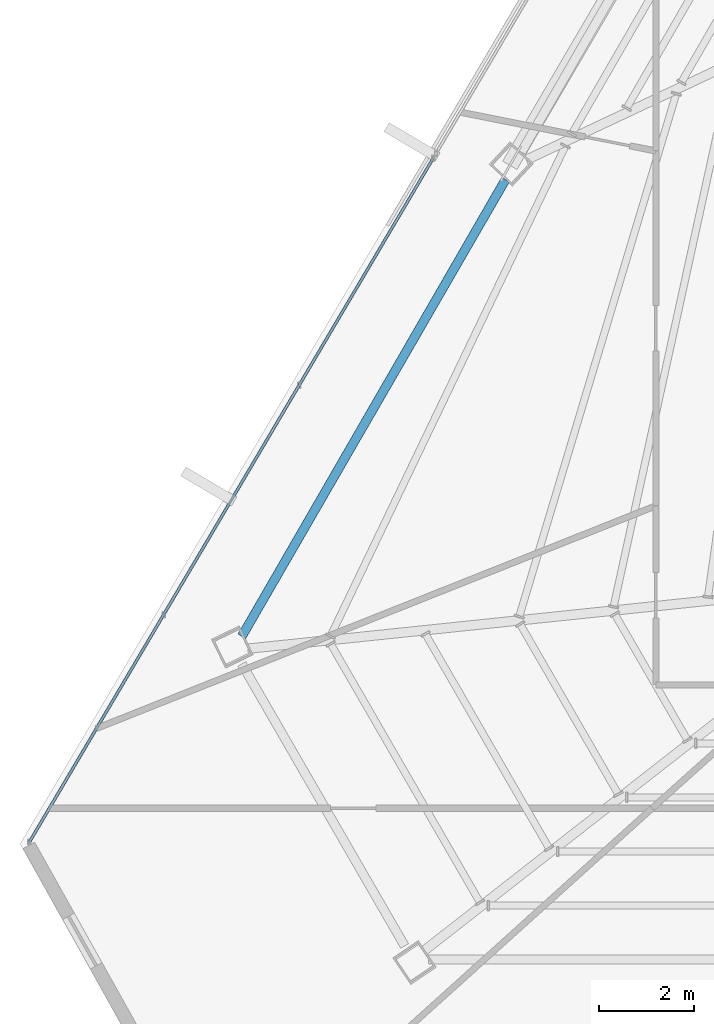
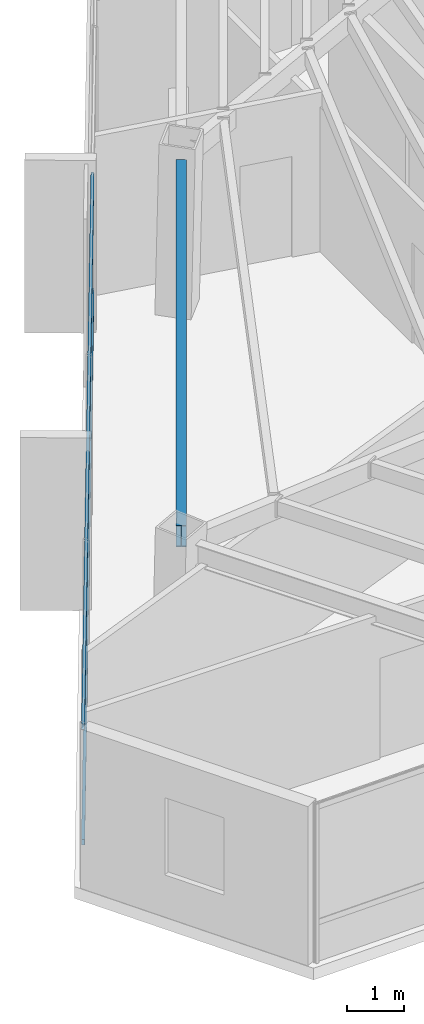
# One storey, part 8 of 47: 2 members, 1 beam, 1 element without a shape of its own.
"""IFC4 building model written with IfcOpenShell, lengths in metres."""

from ifc_helpers import new_model, si_unit, direction, frame, origin, origin_2d, place, context, subcontext, project, spatial, hollow_rectangle, i_section, extrude, source, transform, mapped, material, material_profile, profile_set, type_object, type_shapes, element, aggregate, save


model = new_model("IFC4")

# Units and contexts
model_context = context("Model", 3, precision=1e-05, world=origin(), true_north=direction((0.0, 1.0)))
body_context = subcontext(model_context, "Body", "Model", "MODEL_VIEW")
ifc_project = project(units=[si_unit("LENGTHUNIT", "METRE"), si_unit("AREAUNIT", "SQUARE_METRE"), si_unit("VOLUMEUNIT", "CUBIC_METRE"), si_unit("PLANEANGLEUNIT", "RADIAN"), si_unit("MASSUNIT", "GRAM", prefix="KILO")], contexts=[model_context])

# Site, building, storey
site_placement = place(None, origin())
site = spatial("IfcSite", under=ifc_project, at=site_placement, CompositionType="ELEMENT")
building_placement = place(site_placement, origin())
building = spatial("IfcBuilding", under=site, at=building_placement, Name="Caelisora Broadcast Tower", CompositionType="ELEMENT")
storey_placement = place(building_placement, frame((0.0, 0.0, 255.39990234375)))
storey = spatial("IfcBuildingStorey", under=building, at=storey_placement, Name="L67", CompositionType="ELEMENT", Elevation=255.39990234375)

# Beam
ifc_material_1 = material(Name="Steel Grade 350 (AS/NZS 3679.1)", Category="steel")
ifc_material_profile_1 = material_profile(ifc_material_1, i_section(OverallWidth=0.19091796875, OverallDepth=0.46044921875, WebThickness=0.010009765625, FlangeThickness=0.01611328125, at=origin_2d()), Name="Steel Grade 350 (AS/NZS 3679.1)")
ifc_profile_set_1 = profile_set([ifc_material_profile_1], Name="Steel Grade 350 (AS/NZS 3679.1)")
beam_type = type_object("IfcBeamType", Name="PG06", PredefinedType="BEAM", material=ifc_profile_set_1)
shared_shape_1 = source(origin(), body_context, "Body", "SweptSolid", [
    extrude(i_section(OverallWidth=0.19091796875, OverallDepth=0.46044921875, WebThickness=0.010009765625, FlangeThickness=0.01611328125, at=origin_2d()), origin(), (0.0, 0.0, 1.0), 11.156982421875),
])
type_shapes(beam_type, [shared_shape_1])
beam_placement = place(storey_placement, frame((22.21533203125, 25.89111328125, 3.169921875), z_axis=(-0.500012895461, -0.866017958458, 0.0), x_axis=(0.866017958458, -0.500012895461, 0.0)))
element("IfcBeam", 1, at=beam_placement, inside=storey, type_object=beam_type, Name="L67 beam PG06", PredefinedType="BEAM", context=body_context, shape_type="MappedRepresentation", body=[
    mapped(shared_shape_1, transform((0.0, 0.0, 0.0), scale=1.0)),
])

# Curtain wall, members
ifc_material_2 = material(Name="Unitised Aluminium and Low-E Glass Curtain Wall", Category="glass")
curtain_wall_type = type_object("IfcCurtainWallType", Name="CW-Z5", PredefinedType="NOTDEFINED", material=ifc_material_2)
curtain_wall_placement = place(storey_placement, origin())
curtain_wall = element("IfcCurtainWall", 2, at=curtain_wall_placement, inside=storey, type_object=curtain_wall_type, Name="L67 curtain wall CW-Z5", PredefinedType="NOTDEFINED")
ifc_material_3 = material(Name="Aluminium 6063-T6 Anodised Terracotta Bronze", Category="aluminium")
ifc_material_profile_2 = material_profile(ifc_material_3, hollow_rectangle(XDim=0.06005859375, YDim=0.1201171875, WallThickness=0.0029296875, at=origin_2d()), Name="Aluminium 6063-T6 Anodised Terracotta Bronze")
ifc_profile_set_2 = profile_set([ifc_material_profile_2], Name="Aluminium 6063-T6 Anodised Terracotta Bronze")
member_type = type_object("IfcMemberType", Name="CWT-03", PredefinedType="USERDEFINED", material=ifc_profile_set_2)
shared_shape_2 = source(origin(), body_context, "Body", "SweptSolid", [
    extrude(hollow_rectangle(XDim=0.06005859375, YDim=0.1201171875, WallThickness=0.0029296875, at=origin_2d()), origin(), (0.0, 0.0, 1.0), 16.817138671875),
])
type_shapes(member_type, [shared_shape_2])
member_1_placement = place(storey_placement, frame((12.140380859375, 11.873046875, 0.85009765625), z_axis=(0.508441204256, 0.861096708747, 0.0), x_axis=(-0.861096708747, 0.508441204256, 0.0)))
member_1 = element("IfcMember", 3, at=member_1_placement, type_object=member_type, Name="L67-CW-B09 transom #1", ObjectType="TRANSOM", PredefinedType="USERDEFINED", context=body_context, shape_type="MappedRepresentation", body=[
    mapped(shared_shape_2, transform((0.0, 0.0, 0.0), scale=1.0)),
])
member_2_placement = place(storey_placement, frame((12.140380859375, 11.873046875, 3.320068359375), z_axis=(0.508441204256, 0.861096708747, 0.0), x_axis=(-0.861096708747, 0.508441204256, 0.0)))
member_2 = element("IfcMember", 4, at=member_2_placement, type_object=member_type, Name="L67-CW-B09 transom #2", ObjectType="TRANSOM", PredefinedType="USERDEFINED", context=body_context, shape_type="MappedRepresentation", body=[
    mapped(shared_shape_2, transform((0.0, 0.0, 0.0), scale=1.0)),
])
aggregate(curtain_wall, [member_1, member_2])

save(model, "model.ifc")
